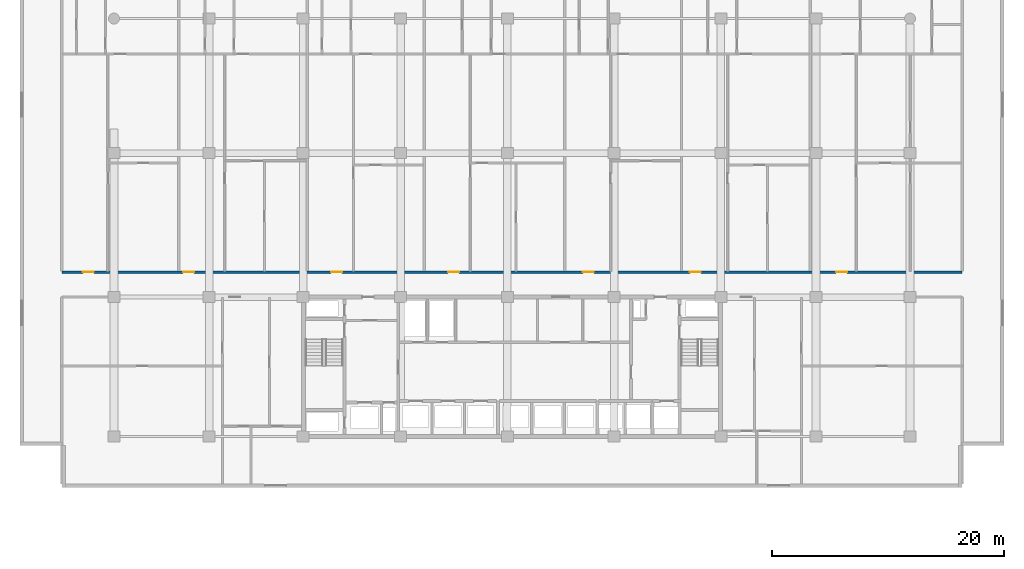
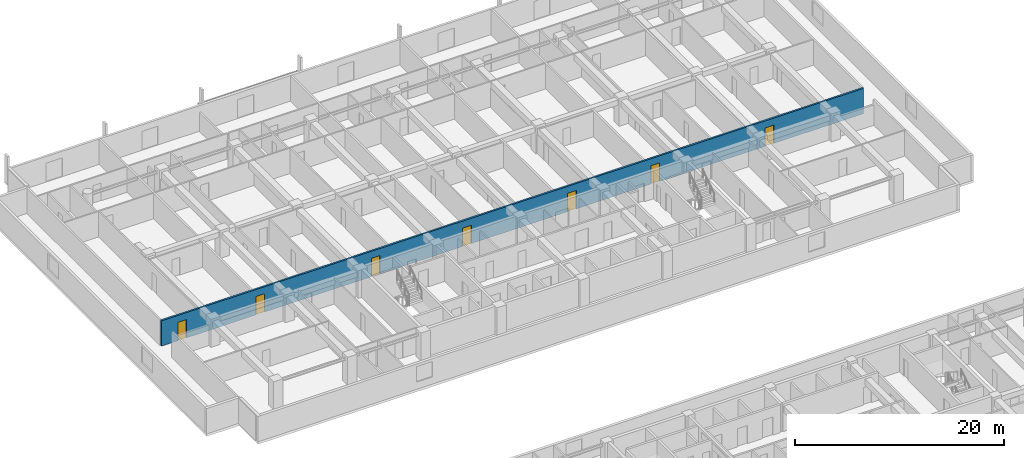
# One storey, part 13 of 23: 7 doors, 1 wall, 7 openings.
"""IFC4 building model written with IfcOpenShell, lengths in metres."""

import ifcopenshell
import ifcopenshell.guid

model = None  # the IFC model being written
_history = None  # IfcOwnerHistory: only IFC2X3 demands one
_inside = {}  # id of a spatial element -> (the spatial element, [elements in it])
_under = {}  # id of a project, library or spatial element -> (it, [spatial elements below it])
_declared = {}  # id of a project -> (the project, [libraries it declares])
_typed = {}  # id of a type object -> (the type object, [elements of that type])
_made_of = {}  # id of a material, layer set ... -> (it, [elements and type objects made of it])


def new_model(schema):
    """Start an empty IFC model of exactly this schema.

    Asked for "IFC4X3", IfcOpenShell would pick the latest addendum, in which some entities
    have other attributes; the version numbers below select the first issue.
    IFC2X3 requires an IfcOwnerHistory on every rooted entity: one is made here for all.
    """
    global model, _history
    if schema == "IFC4X3":
        model = ifcopenshell.file(schema_version=(4, 3, 0, 0))
    else:
        model = ifcopenshell.file(schema=schema)
    _inside.clear()
    _under.clear()
    _declared.clear()
    _typed.clear()
    _made_of.clear()
    _history = None
    if model.schema == "IFC2X3":
        org = make("IfcOrganization", Name="unknown")
        user = make(
            "IfcPersonAndOrganization",
            ThePerson=make("IfcPerson", FamilyName="unknown"),
            TheOrganization=org,
        )
        app = make(
            "IfcApplication",
            ApplicationDeveloper=org,
            Version="unknown",
            ApplicationFullName="unknown",
            ApplicationIdentifier="unknown",
        )
        _history = make(
            "IfcOwnerHistory",
            OwningUser=user,
            OwningApplication=app,
            ChangeAction="ADDED",
            CreationDate=0,
        )
    return model


def make(cls, **values):
    """One entity of the class cls with the attributes given. An attribute that is None is left unset."""
    return model.create_entity(
        cls, **{name: value for name, value in values.items() if value is not None}
    )


def rooted(cls, **values):
    """An entity with a GlobalId (a new one), such as an element, a storey or a relation."""
    return make(cls, GlobalId=ifcopenshell.guid.new(), OwnerHistory=_history, **values)


def si_unit(unit_type, name, prefix=None):
    """IfcSIUnit, for example si_unit("LENGTHUNIT", "METRE", prefix="MILLI")."""
    return make("IfcSIUnit", UnitType=unit_type, Prefix=prefix, Name=name)


def assignment(units):
    """IfcUnitAssignment: the units of a project."""
    return None if units is None else make("IfcUnitAssignment", Units=units)


def point(xyz):
    """IfcCartesianPoint."""
    return None if xyz is None else make("IfcCartesianPoint", Coordinates=xyz)


def direction(xyz):
    """IfcDirection."""
    return None if xyz is None else make("IfcDirection", DirectionRatios=xyz)


def frame(location, z_axis=None, x_axis=None):
    """IfcAxis2Placement3D, a coordinate frame: its origin and axes. An axis left out is left unset."""
    return make(
        "IfcAxis2Placement3D",
        Location=point(location),
        Axis=direction(z_axis),
        RefDirection=direction(x_axis),
    )


def frame_2d(location, x_axis=None):
    """IfcAxis2Placement2D, a coordinate frame in the plane: its origin and x axis."""
    return make(
        "IfcAxis2Placement2D", Location=point(location), RefDirection=direction(x_axis)
    )


def origin():
    """The frame at (0, 0, 0) with its axes left unset."""
    return frame((0.0, 0.0, 0.0))


def place(relative_to, where):
    """IfcLocalPlacement: puts the frame where relative to a parent placement (None: the world)."""
    return make(
        "IfcLocalPlacement", PlacementRelTo=relative_to, RelativePlacement=where
    )


def context(
    kind, dimensions, precision=None, world=None, true_north=None, identifier=None
):
    """IfcGeometricRepresentationContext, for example the 3D "Model" context."""
    return make(
        "IfcGeometricRepresentationContext",
        ContextIdentifier=identifier,
        ContextType=kind,
        CoordinateSpaceDimension=dimensions,
        Precision=precision,
        WorldCoordinateSystem=world,
        TrueNorth=true_north,
    )


def subcontext(parent, identifier, kind, view, scale=None):
    """IfcGeometricRepresentationSubContext, for example "Body" below "Model"."""
    return make(
        "IfcGeometricRepresentationSubContext",
        ContextIdentifier=identifier,
        ContextType=kind,
        ParentContext=parent,
        TargetScale=scale,
        TargetView=view,
    )


def project(units=None, contexts=None):
    """IfcProject with its units and contexts."""
    return rooted(
        "IfcProject",
        Name="project",
        RepresentationContexts=contexts,
        UnitsInContext=assignment(units),
    )


def spatial(cls, under=None, at=None, **own):
    """A site, building, storey or space (cls), placed at a placement, below another one or the project."""
    s = rooted(cls, ObjectPlacement=at, **own)
    if under is not None:
        _under.setdefault(under.id(), (under, []))[1].append(s)
    return s


def profile(cls, at=None, kind="AREA", **sizes):
    """A parametric profile (cls). Its sizes go by their IFC names, for example OverallWidth=200.0."""
    return make(cls, ProfileType=kind, Position=at, **sizes)


def rectangle(**sizes):
    """IfcRectangleProfileDef."""
    return profile("IfcRectangleProfileDef", **sizes)


def extrude(swept, where, along, depth):
    """IfcExtrudedAreaSolid: the profile swept, set in the frame where, extruded along a direction by depth."""
    return make(
        "IfcExtrudedAreaSolid",
        SweptArea=swept,
        Position=where,
        ExtrudedDirection=direction(along),
        Depth=depth,
    )


def shape(context_of_items, identifier, shape_type, items):
    """IfcShapeRepresentation: the items that make up one representation, for example the "Body"."""
    return make(
        "IfcShapeRepresentation",
        ContextOfItems=context_of_items,
        RepresentationIdentifier=identifier,
        RepresentationType=shape_type,
        Items=items,
    )


def material(Name=None, Category=None):
    """IfcMaterial."""
    return make("IfcMaterial", Name=Name, Category=Category)


def layer(
    of_material, thickness, ventilated=None, Name=None, Category=None, Priority=None
):
    """IfcMaterialLayer: one layer of a wall or slab, of a material (None: an air gap)."""
    return make(
        "IfcMaterialLayer",
        Material=of_material,
        LayerThickness=thickness,
        IsVentilated=ventilated,
        Name=Name,
        Category=Category,
        Priority=Priority,
    )


def layer_set(layers, Name=None):
    """IfcMaterialLayerSet."""
    return make("IfcMaterialLayerSet", MaterialLayers=layers, LayerSetName=Name)


def made_of(thing, what):
    """Note that an element or type object is made of a material, layer set ...; save() writes the relation."""
    if what is not None:
        _made_of.setdefault(what.id(), (what, []))[1].append(thing)
    return thing


def type_object(cls, material=None, **own):
    """A type object (cls), such as IfcWallType, which elements share."""
    return made_of(rooted(cls, **own), material)


def element(
    cls,
    number,
    at=None,
    inside=None,
    cuts=None,
    type_object=None,
    material=None,
    context=None,
    identifier="Body",
    shape_type=None,
    held_by="IfcProductDefinitionShape",
    body=None,
    shapes=None,
    **own,
):
    """One element of the class cls, such as IfcWall. Its Tag is "e" and its number.

    at: its placement. inside: the storey or other place that contains it. cuts: it is an
    opening in that element (IfcRelVoidsElement). A single representation is given by context,
    identifier, shape_type and body (its items); several are given by shapes. held_by: the class
    of the entity that holds the representations. save() writes the other relations.
    """
    e = rooted(cls, Tag="e%d" % number, ObjectPlacement=at, **own)
    if body is not None:
        shapes = [shape(context, identifier, shape_type, body)]
    if shapes is not None:
        e.Representation = make(held_by, Representations=shapes)
    if inside is not None:
        _inside.setdefault(inside.id(), (inside, []))[1].append(e)
    if cuts is not None:
        rooted(
            "IfcRelVoidsElement", RelatingBuildingElement=cuts, RelatedOpeningElement=e
        )
    if type_object is not None:
        _typed.setdefault(type_object.id(), (type_object, []))[1].append(e)
    return made_of(e, material)


def fill(opening, filler):
    """IfcRelFillsElement: the door or window that sits in an opening."""
    return rooted(
        "IfcRelFillsElement",
        RelatingOpeningElement=opening,
        RelatedBuildingElement=filler,
    )


def aggregate(whole, parts):
    """IfcRelAggregates: a whole, such as a stair, and the parts it consists of."""
    return rooted("IfcRelAggregates", RelatingObject=whole, RelatedObjects=parts)


def save(model, path):
    """Write the relations noted so far, then the file.

    IfcRelAggregates (storeys below a building ...), IfcRelContainedInSpatialStructure (elements
    in a storey), IfcRelDefinesByType, IfcRelAssociatesMaterial and IfcRelDeclares: one each for
    every whole, place, type object, material and project.
    """
    for whole, parts in _under.values():
        aggregate(whole, parts)
    for where, things in _inside.values():
        rooted(
            "IfcRelContainedInSpatialStructure",
            RelatedElements=things,
            RelatingStructure=where,
        )
    for kind, things in _typed.values():
        rooted("IfcRelDefinesByType", RelatedObjects=things, RelatingType=kind)
    for what, things in _made_of.values():
        rooted("IfcRelAssociatesMaterial", RelatedObjects=things, RelatingMaterial=what)
    for by, libraries in _declared.values():
        rooted("IfcRelDeclares", RelatingContext=by, RelatedDefinitions=libraries)
    model.write(path)


model = new_model("IFC4")

# Units and contexts
model_context = context("Model", 3, precision=1e-05, world=origin(), true_north=direction((0.0, 1.0)))
body_context = subcontext(model_context, "Body", "Model", "MODEL_VIEW")
ifc_project = project(units=[si_unit("LENGTHUNIT", "METRE"), si_unit("AREAUNIT", "SQUARE_METRE"), si_unit("VOLUMEUNIT", "CUBIC_METRE"), si_unit("PLANEANGLEUNIT", "RADIAN"), si_unit("MASSUNIT", "GRAM", prefix="KILO")], contexts=[model_context])

# Site, building, storey
site_placement = place(None, origin())
site = spatial("IfcSite", under=ifc_project, at=site_placement, CompositionType="ELEMENT")
building_placement = place(site_placement, origin())
building = spatial("IfcBuilding", under=site, at=building_placement, Name="Korimba Cascade Residences", CompositionType="ELEMENT")
storey_placement = place(building_placement, frame((0.0, 0.0, 27.25)))
storey = spatial("IfcBuildingStorey", under=building, at=storey_placement, Name="L06", CompositionType="ELEMENT", Elevation=27.25)

# Wall, openings, doors
ifc_material_1 = material(Name="Precast concrete C40/50", Category="concrete")
ifc_layer = layer(ifc_material_1, 0.199951171875)
ifc_layer_set = layer_set([ifc_layer], Name="Precast concrete C40/50")
wall_type = type_object("IfcWallType", Name="WAL-IT-200", PredefinedType="PARTITIONING", material=ifc_layer_set)
wall_placement = place(storey_placement, frame((55.300048828125, 69.35009765625, 0.0), z_axis=(0.0, 0.0, 1.0), x_axis=(1.0, 0.0, 0.0)))
wall = element("IfcWall", 1, at=wall_placement, inside=storey, type_object=wall_type, Name="L06 Partition Wall WAL-L06-T1-CORN", PredefinedType="PARTITIONING", context=body_context, shape_type="SweptSolid", body=[
    extrude(rectangle(XDim=77.599853515625, YDim=0.199951171875, at=frame_2d((38.7998046875, 0.0))), origin(), (0.0, 0.0, 1.0), 2.969970703125),
])
opening_1_placement = place(wall_placement, frame((1.81005859375, 0.0, 0.0)))
opening_1 = element("IfcOpeningElement", 2, at=opening_1_placement, cuts=wall, Name="Opening D-UN1", PredefinedType="OPENING", context=body_context, shape_type="SweptSolid", body=[
    extrude(rectangle(XDim=0.949951171875, YDim=2.14990234375, at=frame_2d((0.47509765625, 1.074951171875))), frame((0.0, 0.10986328125, 0.0), z_axis=(0.0, -1.0, 0.0), x_axis=(1.0, 0.0, 0.0)), (0.0, 0.0, 1.0), 0.219970703125),
])
opening_2_placement = place(wall_placement, frame((10.447998046875, 0.0, 0.0)))
opening_2 = element("IfcOpeningElement", 3, at=opening_2_placement, cuts=wall, Name="Opening D-UN1", PredefinedType="OPENING", context=body_context, shape_type="SweptSolid", body=[
    extrude(rectangle(XDim=0.949951171875, YDim=2.14990234375, at=frame_2d((0.47509765625, 1.074951171875))), frame((0.0, 0.10986328125, 0.0), z_axis=(0.0, -1.0, 0.0), x_axis=(1.0, 0.0, 0.0)), (0.0, 0.0, 1.0), 0.219970703125),
])
opening_3_placement = place(wall_placement, frame((23.20849609375, 0.0, 0.0)))
opening_3 = element("IfcOpeningElement", 4, at=opening_3_placement, cuts=wall, Name="Opening D-UN1", PredefinedType="OPENING", context=body_context, shape_type="SweptSolid", body=[
    extrude(rectangle(XDim=0.949951171875, YDim=2.14990234375, at=frame_2d((0.47509765625, 1.074951171875))), frame((0.0, 0.10986328125, 0.0), z_axis=(0.0, -1.0, 0.0), x_axis=(1.0, 0.0, 0.0)), (0.0, 0.0, 1.0), 0.219970703125),
])
opening_4_placement = place(wall_placement, frame((33.28662109375, 0.0, 0.0)))
opening_4 = element("IfcOpeningElement", 5, at=opening_4_placement, cuts=wall, Name="Opening D-UN1", PredefinedType="OPENING", context=body_context, shape_type="SweptSolid", body=[
    extrude(rectangle(XDim=0.949951171875, YDim=2.14990234375, at=frame_2d((0.47509765625, 1.074951171875))), frame((0.0, 0.10986328125, 0.0), z_axis=(0.0, -1.0, 0.0), x_axis=(1.0, 0.0, 0.0)), (0.0, 0.0, 1.0), 0.219970703125),
])
opening_5_placement = place(wall_placement, frame((44.905029296875, 0.0, 0.0)))
opening_5 = element("IfcOpeningElement", 6, at=opening_5_placement, cuts=wall, Name="Opening D-UN1", PredefinedType="OPENING", context=body_context, shape_type="SweptSolid", body=[
    extrude(rectangle(XDim=0.949951171875, YDim=2.14990234375, at=frame_2d((0.47509765625, 1.074951171875))), frame((0.0, 0.10986328125, 0.0), z_axis=(0.0, -1.0, 0.0), x_axis=(1.0, 0.0, 0.0)), (0.0, 0.0, 1.0), 0.219970703125),
])
opening_6_placement = place(wall_placement, frame((54.118896484375, 0.0, 0.0)))
opening_6 = element("IfcOpeningElement", 7, at=opening_6_placement, cuts=wall, Name="Opening D-UN1", PredefinedType="OPENING", context=body_context, shape_type="SweptSolid", body=[
    extrude(rectangle(XDim=0.949951171875, YDim=2.14990234375, at=frame_2d((0.47509765625, 1.074951171875))), frame((0.0, 0.10986328125, 0.0), z_axis=(0.0, -1.0, 0.0), x_axis=(1.0, 0.0, 0.0)), (0.0, 0.0, 1.0), 0.219970703125),
])
opening_7_placement = place(wall_placement, frame((66.740478515625, 0.0, 0.0)))
opening_7 = element("IfcOpeningElement", 8, at=opening_7_placement, cuts=wall, Name="Opening D-UN1", PredefinedType="OPENING", context=body_context, shape_type="SweptSolid", body=[
    extrude(rectangle(XDim=0.949951171875, YDim=2.14990234375, at=frame_2d((0.47509765625, 1.074951171875))), frame((0.0, 0.10986328125, 0.0), z_axis=(0.0, -1.0, 0.0), x_axis=(1.0, 0.0, 0.0)), (0.0, 0.0, 1.0), 0.219970703125),
])
ifc_material_2 = material(Name="Fire-Rated Hardwood Apartment Entrance Door", Category="wood")
door_type = type_object("IfcDoorType", Name="DR-FD60-950", OperationType="NOTDEFINED", PredefinedType="DOOR", material=ifc_material_2)
door_1_placement = place(opening_1_placement, origin())
door_1 = element("IfcDoor", 9, at=door_1_placement, inside=storey, type_object=door_type, Name="Unit L06-T1-U01 Entrance Door", OperationType="SINGLE_SWING_LEFT", OverallHeight=2.14990234375, OverallWidth=0.949951171875, PredefinedType="DOOR", context=body_context, shape_type="SweptSolid", body=[
    extrude(rectangle(XDim=0.949951171875, YDim=2.14990234375, at=frame_2d((0.47509765625, 1.074951171875))), frame((0.0, 0.02490234375, 0.0), z_axis=(0.0, -1.0, 0.0), x_axis=(1.0, 0.0, 0.0)), (0.0, 0.0, 1.0), 0.050048828125),
])
fill(opening_1, door_1)
door_2_placement = place(opening_2_placement, origin())
door_2 = element("IfcDoor", 10, at=door_2_placement, inside=storey, type_object=door_type, Name="Unit L06-T1-U02 Entrance Door", OperationType="SINGLE_SWING_RIGHT", OverallHeight=2.14990234375, OverallWidth=0.949951171875, PredefinedType="DOOR", context=body_context, shape_type="SweptSolid", body=[
    extrude(rectangle(XDim=0.949951171875, YDim=2.14990234375, at=frame_2d((0.47509765625, 1.074951171875))), frame((0.0, 0.02490234375, 0.0), z_axis=(0.0, -1.0, 0.0), x_axis=(1.0, 0.0, 0.0)), (0.0, 0.0, 1.0), 0.050048828125),
])
fill(opening_2, door_2)
door_3_placement = place(opening_3_placement, origin())
door_3 = element("IfcDoor", 11, at=door_3_placement, inside=storey, type_object=door_type, Name="Unit L06-T1-U03 Entrance Door", OperationType="SINGLE_SWING_LEFT", OverallHeight=2.14990234375, OverallWidth=0.949951171875, PredefinedType="DOOR", context=body_context, shape_type="SweptSolid", body=[
    extrude(rectangle(XDim=0.949951171875, YDim=2.14990234375, at=frame_2d((0.47509765625, 1.074951171875))), frame((0.0, 0.02490234375, 0.0), z_axis=(0.0, -1.0, 0.0), x_axis=(1.0, 0.0, 0.0)), (0.0, 0.0, 1.0), 0.050048828125),
])
fill(opening_3, door_3)
door_4_placement = place(opening_4_placement, origin())
door_4 = element("IfcDoor", 12, at=door_4_placement, inside=storey, type_object=door_type, Name="Unit L06-T1-U04 Entrance Door", OperationType="SINGLE_SWING_RIGHT", OverallHeight=2.14990234375, OverallWidth=0.949951171875, PredefinedType="DOOR", context=body_context, shape_type="SweptSolid", body=[
    extrude(rectangle(XDim=0.949951171875, YDim=2.14990234375, at=frame_2d((0.47509765625, 1.074951171875))), frame((0.0, 0.02490234375, 0.0), z_axis=(0.0, -1.0, 0.0), x_axis=(1.0, 0.0, 0.0)), (0.0, 0.0, 1.0), 0.050048828125),
])
fill(opening_4, door_4)
door_5_placement = place(opening_5_placement, origin())
door_5 = element("IfcDoor", 13, at=door_5_placement, inside=storey, type_object=door_type, Name="Unit L06-T1-U05 Entrance Door", OperationType="SINGLE_SWING_LEFT", OverallHeight=2.14990234375, OverallWidth=0.949951171875, PredefinedType="DOOR", context=body_context, shape_type="SweptSolid", body=[
    extrude(rectangle(XDim=0.949951171875, YDim=2.14990234375, at=frame_2d((0.47509765625, 1.074951171875))), frame((0.0, 0.02490234375, 0.0), z_axis=(0.0, -1.0, 0.0), x_axis=(1.0, 0.0, 0.0)), (0.0, 0.0, 1.0), 0.050048828125),
])
fill(opening_5, door_5)
door_6_placement = place(opening_6_placement, origin())
door_6 = element("IfcDoor", 14, at=door_6_placement, inside=storey, type_object=door_type, Name="Unit L06-T1-U06 Entrance Door", OperationType="SINGLE_SWING_RIGHT", OverallHeight=2.14990234375, OverallWidth=0.949951171875, PredefinedType="DOOR", context=body_context, shape_type="SweptSolid", body=[
    extrude(rectangle(XDim=0.949951171875, YDim=2.14990234375, at=frame_2d((0.47509765625, 1.074951171875))), frame((0.0, 0.02490234375, 0.0), z_axis=(0.0, -1.0, 0.0), x_axis=(1.0, 0.0, 0.0)), (0.0, 0.0, 1.0), 0.050048828125),
])
fill(opening_6, door_6)
door_7_placement = place(opening_7_placement, origin())
door_7 = element("IfcDoor", 15, at=door_7_placement, inside=storey, type_object=door_type, Name="Unit L06-T1-U07 Entrance Door", OperationType="SINGLE_SWING_LEFT", OverallHeight=2.14990234375, OverallWidth=0.949951171875, PredefinedType="DOOR", context=body_context, shape_type="SweptSolid", body=[
    extrude(rectangle(XDim=0.949951171875, YDim=2.14990234375, at=frame_2d((0.47509765625, 1.074951171875))), frame((0.0, 0.02490234375, 0.0), z_axis=(0.0, -1.0, 0.0), x_axis=(1.0, 0.0, 0.0)), (0.0, 0.0, 1.0), 0.050048828125),
])
fill(opening_7, door_7)

save(model, "model.ifc")
